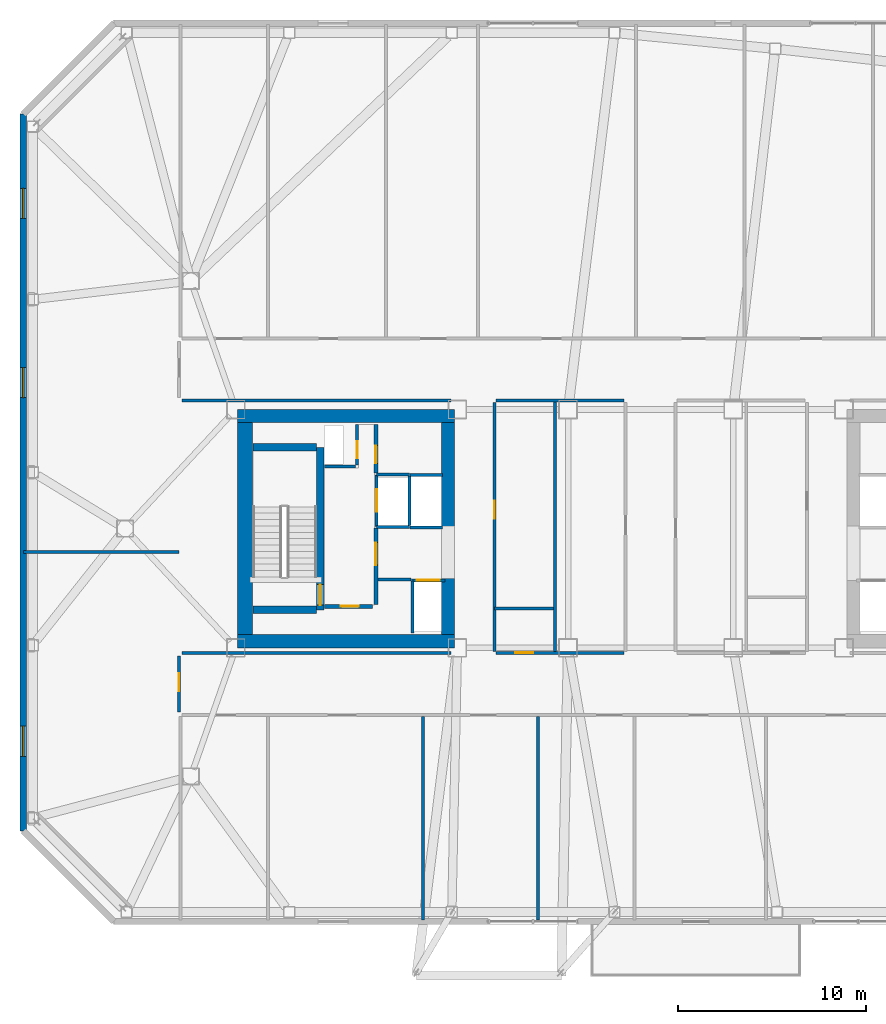
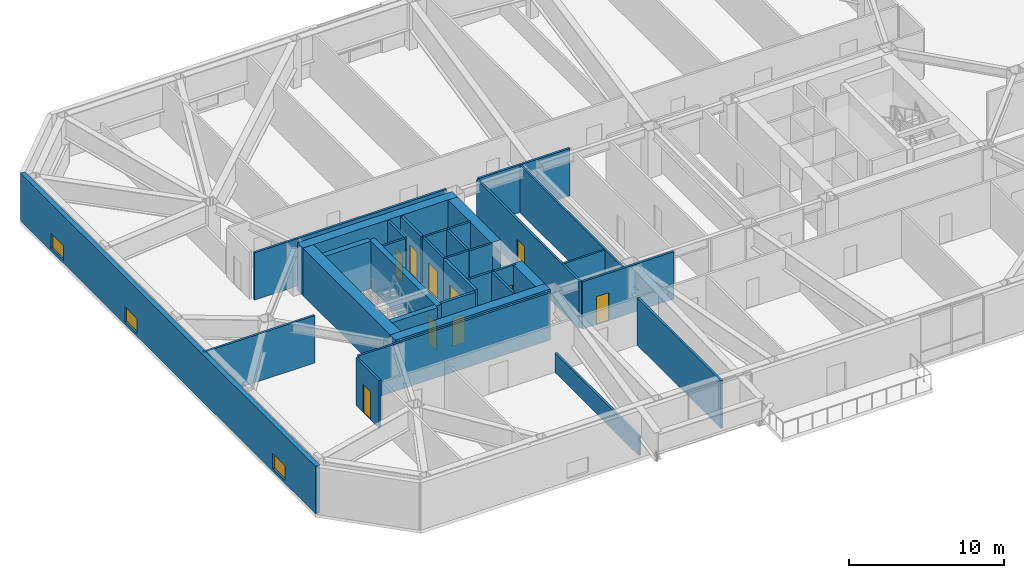
# One storey, part 10 of 18: 34 walls, 10 doors, 3 windows, 13 openings.
"""IFC4 building model written with IfcOpenShell, lengths in metres."""

from ifc_helpers import new_model, si_unit, direction, frame, frame_2d, origin, place, context, subcontext, project, spatial, rectangle, extrude, material, layer, layer_set, type_object, element, fill, save


model = new_model("IFC4")

# Units and contexts
model_context = context("Model", 3, precision=1e-05, world=origin(), true_north=direction((0.0, 1.0)))
body_context = subcontext(model_context, "Body", "Model", "MODEL_VIEW")
ifc_project = project(units=[si_unit("LENGTHUNIT", "METRE"), si_unit("AREAUNIT", "SQUARE_METRE"), si_unit("VOLUMEUNIT", "CUBIC_METRE"), si_unit("PLANEANGLEUNIT", "RADIAN"), si_unit("MASSUNIT", "GRAM", prefix="KILO")], contexts=[model_context])

# Site, building, storey
site_placement = place(None, origin())
site = spatial("IfcSite", under=ifc_project, at=site_placement, CompositionType="ELEMENT")
building_placement = place(site_placement, origin())
building = spatial("IfcBuilding", under=site, at=building_placement, Name="Tavrogorsk Clinical Tower", CompositionType="ELEMENT")
storey_placement = place(building_placement, frame((0.0, 0.0, 152.199951171875)))
storey = spatial("IfcBuildingStorey", under=building, at=storey_placement, Name="L34", CompositionType="ELEMENT", Elevation=152.199951171875)

# Wall, opening, door
ifc_material_1 = material(Name="Concrete B60", Category="concrete")
ifc_layer_1 = layer(ifc_material_1, 0.199951171875)
ifc_layer_set_1 = layer_set([ifc_layer_1], Name="Concrete B60")
wall_type_1 = type_object("IfcWallType", Name="CoreFireWall_200", PredefinedType="SOLIDWALL", material=ifc_layer_set_1)
wall_1_placement = place(storey_placement, frame((-17.3798828125, -4.139892578125, 0.0), z_axis=(0.0, 0.0, 1.0), x_axis=(1.0, 0.0, 0.0)))
wall_1 = element("IfcWall", 1, at=wall_1_placement, inside=storey, type_object=wall_type_1, Name="L34 Core West South Core Room Fire Wall", PredefinedType="SOLIDWALL", context=body_context, shape_type="SweptSolid", body=[
    extrude(rectangle(XDim=2.554931640625, YDim=0.199951171875, at=frame_2d((1.27734375, 0.0))), origin(), (0.0, 0.0, 1.0), 3.739990234375),
])
opening_1_placement = place(wall_1_placement, frame((0.8798828125, 0.0, 0.0)))
opening_1 = element("IfcOpeningElement", 2, at=opening_1_placement, cuts=wall_1, Name="Opening ID-02", PredefinedType="OPENING", context=body_context, shape_type="SweptSolid", body=[
    extrude(rectangle(XDim=0.949951171875, YDim=2.199951171875, at=frame_2d((0.47509765625, 1.10009765625))), frame((0.0, 0.10986328125, 0.0), z_axis=(0.0, -1.0, 0.0), x_axis=(1.0, 0.0, 0.0)), (0.0, 0.0, 1.0), 0.219970703125),
])
ifc_material_2 = material(Name="Laminated timber leaf on aluminium frame", Category="wood")
door_type_1 = type_object("IfcDoorType", Name="InteriorDoor_ID02_950", OperationType="NOTDEFINED", PredefinedType="DOOR", material=ifc_material_2)
door_1_placement = place(opening_1_placement, origin())
door_1 = element("IfcDoor", 3, at=door_1_placement, inside=storey, type_object=door_type_1, Name="L34 Core West South Core Room Door", OperationType="SINGLE_SWING_RIGHT", OverallHeight=2.199951171875, OverallWidth=0.949951171875, PredefinedType="DOOR", context=body_context, shape_type="SweptSolid", body=[
    extrude(rectangle(XDim=0.949951171875, YDim=2.199951171875, at=frame_2d((0.47509765625, 1.10009765625))), frame((0.0, 0.02490234375, 0.0), z_axis=(0.0, -1.0, 0.0), x_axis=(1.0, 0.0, 0.0)), (0.0, 0.0, 1.0), 0.050048828125),
])
fill(opening_1, door_1)

wall_2_placement = place(storey_placement, frame((-14.639892578125, 2.9599609375, 0.0), z_axis=(0.0, 0.0, 1.0), x_axis=(0.0, 1.0, 0.0)))
wall_2 = element("IfcWall", 4, at=wall_2_placement, inside=storey, type_object=wall_type_1, Name="L34 Core West North Core Room East Wall", PredefinedType="SOLIDWALL", context=body_context, shape_type="SweptSolid", body=[
    extrude(rectangle(XDim=2.60009765625, YDim=0.199951171875, at=frame_2d((1.300048828125, 0.0))), origin(), (0.0, 0.0, 1.0), 3.739990234375),
])
opening_2_placement = place(wall_2_placement, frame((0.52001953125, 0.0, 0.0)))
opening_2 = element("IfcOpeningElement", 5, at=opening_2_placement, cuts=wall_2, Name="Opening ID-02", PredefinedType="OPENING", context=body_context, shape_type="SweptSolid", body=[
    extrude(rectangle(XDim=0.949951171875, YDim=2.199951171875, at=frame_2d((0.47509765625, 1.10009765625))), frame((0.0, 0.10986328125, 0.0), z_axis=(0.0, -1.0, 0.0), x_axis=(1.0, 0.0, 0.0)), (0.0, 0.0, 1.0), 0.219970703125),
])
door_2_placement = place(opening_2_placement, origin())
door_2 = element("IfcDoor", 6, at=door_2_placement, inside=storey, type_object=door_type_1, Name="L34 Core West Core Telemetry Room Door", OperationType="SINGLE_SWING_LEFT", OverallHeight=2.199951171875, OverallWidth=0.949951171875, PredefinedType="DOOR", context=body_context, shape_type="SweptSolid", body=[
    extrude(rectangle(XDim=0.949951171875, YDim=2.199951171875, at=frame_2d((0.47509765625, 1.10009765625))), frame((0.0, 0.02490234375, 0.0), z_axis=(0.0, -1.0, 0.0), x_axis=(1.0, 0.0, 0.0)), (0.0, 0.0, 1.0), 0.050048828125),
])
fill(opening_2, door_2)

wall_3_placement = place(storey_placement, frame((-14.639892578125, -4.034912109375, 0.0), z_axis=(0.0, 0.0, 1.0), x_axis=(0.0, 1.0, 0.0)))
wall_3 = element("IfcWall", 7, at=wall_3_placement, inside=storey, type_object=wall_type_1, Name="L34 Core West Firefighting Lobby Fire Wall", PredefinedType="SOLIDWALL", context=body_context, shape_type="SweptSolid", body=[
    extrude(rectangle(XDim=4.074951171875, YDim=0.199951171875, at=frame_2d((2.03759765625, 0.0))), origin(), (0.0, 0.0, 1.0), 3.739990234375),
])
opening_3_placement = place(wall_3_placement, frame((2.090087890625, 0.0, 0.0)))
opening_3 = element("IfcOpeningElement", 8, at=opening_3_placement, cuts=wall_3, Name="Opening FD-01", PredefinedType="OPENING", context=body_context, shape_type="SweptSolid", body=[
    extrude(rectangle(XDim=1.199951171875, YDim=2.199951171875, at=frame_2d((0.60009765625, 1.10009765625))), frame((0.0, 0.10986328125, 0.0), z_axis=(0.0, -1.0, 0.0), x_axis=(1.0, 0.0, 0.0)), (0.0, 0.0, 1.0), 0.219970703125),
])
ifc_material_3 = material(Name="Galvanised steel fire-rated door assembly", Category="steel")
door_type_2 = type_object("IfcDoorType", Name="FireDoor_FD01_1200", OperationType="NOTDEFINED", PredefinedType="DOOR", material=ifc_material_3)
door_3_placement = place(opening_3_placement, origin())
door_3 = element("IfcDoor", 9, at=door_3_placement, inside=storey, type_object=door_type_2, Name="L34 Core West Firefighting Lobby Entry Door", OperationType="SINGLE_SWING_RIGHT", OverallHeight=2.199951171875, OverallWidth=1.199951171875, PredefinedType="DOOR", context=body_context, shape_type="SweptSolid", body=[
    extrude(rectangle(XDim=1.199951171875, YDim=2.199951171875, at=frame_2d((0.60009765625, 1.10009765625))), frame((0.0, 0.02490234375, 0.0), z_axis=(0.0, -1.0, 0.0), x_axis=(1.0, 0.0, 0.0)), (0.0, 0.0, 1.0), 0.050048828125),
])
fill(opening_3, door_3)

# Walls
ifc_material_4 = material(Name="Lightweight concrete blockwork B15", Category="masonry")
ifc_layer_2 = layer(ifc_material_4, 0.139892578125)
ifc_layer_set_2 = layer_set([ifc_layer_2], Name="Lightweight concrete blockwork B15")
wall_type_2 = type_object("IfcWallType", Name="PartitionWall_140", PredefinedType="PARTITIONING", material=ifc_layer_set_2)
wall_4_placement = place(storey_placement, frame((-5.10009765625, -6.614990234375, 0.0), z_axis=(0.0, 0.0, 1.0), x_axis=(0.0, 1.0, 0.0)))
element("IfcWall", 10, at=wall_4_placement, inside=storey, type_object=wall_type_2, Name="L34 Central Spine Partition 1", PredefinedType="PARTITIONING", context=body_context, shape_type="SweptSolid", body=[
    extrude(rectangle(XDim=13.429931640625, YDim=0.139892578125, at=frame_2d((6.71484375, 0.0))), origin(), (0.0, 0.0, 1.0), 3.739990234375),
])
wall_5_placement = place(storey_placement, frame((-8.31494140625, -4.25, 0.0), z_axis=(0.0, 0.0, 1.0), x_axis=(1.0, 0.0, 0.0)))
element("IfcWall", 11, at=wall_5_placement, inside=storey, type_object=wall_type_2, Name="L34 Central Spine Partition 3", PredefinedType="PARTITIONING", context=body_context, shape_type="SweptSolid", body=[
    extrude(rectangle(XDim=3.139892578125, YDim=0.139892578125, at=frame_2d((1.56982421875, 0.0))), origin(), (0.0, 0.0, 1.0), 3.739990234375),
])
ifc_material_5 = material(Name="Lightweight concrete blockwork B15", Category="masonry")
ifc_layer_3 = layer(ifc_material_5, 0.159912109375)
ifc_layer_set_3 = layer_set([ifc_layer_3], Name="Lightweight concrete blockwork B15")
wall_type_3 = type_object("IfcWallType", Name="PartitionWall_160", PredefinedType="PARTITIONING", material=ifc_layer_set_3)
wall_6_placement = place(storey_placement, frame((-14.534912109375, -2.699951171875, 0.0), z_axis=(0.0, 0.0, 1.0), x_axis=(1.0, 0.0, 0.0)))
element("IfcWall", 12, at=wall_6_placement, inside=storey, type_object=wall_type_3, Name="L34 Core West Freed Low-Bank North Partition", PredefinedType="PARTITIONING", context=body_context, shape_type="SweptSolid", body=[
    extrude(rectangle(XDim=1.760009765625, YDim=0.159912109375, at=frame_2d((0.8798828125, 0.0))), origin(), (0.0, 0.0, 1.0), 3.739990234375),
])

# Wall, opening, door
wall_7_placement = place(storey_placement, frame((-25.1298828125, -9.764892578125, 0.0), z_axis=(0.0, 0.0, 1.0), x_axis=(0.0, 1.0, 0.0)))
wall_7 = element("IfcWall", 13, at=wall_7_placement, inside=storey, type_object=wall_type_3, Name="L34 Corridor Partition 01", PredefinedType="PARTITIONING", context=body_context, shape_type="SweptSolid", body=[
    extrude(rectangle(XDim=2.97998046875, YDim=0.159912109375, at=frame_2d((1.489990234375, 0.0))), origin(), (0.0, 0.0, 1.0), 3.739990234375),
])
opening_4_placement = place(wall_7_placement, frame((1.10009765625, 0.0, 0.0)))
opening_4 = element("IfcOpeningElement", 14, at=opening_4_placement, cuts=wall_7, Name="Opening ID-02", PredefinedType="OPENING", context=body_context, shape_type="SweptSolid", body=[
    extrude(rectangle(XDim=0.949951171875, YDim=2.199951171875, at=frame_2d((0.47509765625, 1.10009765625))), frame((0.0, 0.08984375, 0.0), z_axis=(0.0, -1.0, 0.0), x_axis=(1.0, 0.0, 0.0)), (0.0, 0.0, 1.0), 0.179931640625),
])
door_4_placement = place(opening_4_placement, origin())
door_4 = element("IfcDoor", 15, at=door_4_placement, inside=storey, type_object=door_type_1, Name="L34 W Solarium Day Room & Lounge 1 Door", OperationType="SINGLE_SWING_LEFT", OverallHeight=2.199951171875, OverallWidth=0.949951171875, PredefinedType="DOOR", context=body_context, shape_type="SweptSolid", body=[
    extrude(rectangle(XDim=0.949951171875, YDim=2.199951171875, at=frame_2d((0.47509765625, 1.10009765625))), frame((0.0, 0.02490234375, 0.0), z_axis=(0.0, -1.0, 0.0), x_axis=(1.0, 0.0, 0.0)), (0.0, 0.0, 1.0), 0.050048828125),
])
fill(opening_4, door_4)

# Walls
for number, where, z_axis, x_axis, name in (
    (16, (-24.965087890625, -6.6201171875, 0.0), (0.0, 0.0, 1.0), (1.0, 0.0, 0.0), "L34 Corridor Partition 02"),
    (17, (-10.6298828125, 6.820068359375, 0.0), (0.0, 0.0, 1.0), (-1.0, 0.0, 0.0), "L34 Corridor Partition 03"),
):
    element("IfcWall", number, at=place(storey_placement, frame(where, z_axis=z_axis, x_axis=x_axis)), inside=storey, type_object=wall_type_3, Name=name, PredefinedType="PARTITIONING", context=body_context, shape_type="SweptSolid", body=[
        extrude(rectangle(XDim=14.335205078125, YDim=0.159912109375, at=frame_2d((7.16748046875, 0.0))), origin(), (0.0, 0.0, 1.0), 3.739990234375),
    ])
wall_8_placement = place(storey_placement, frame((-1.4150390625, 6.820068359375, 0.0), z_axis=(0.0, 0.0, 1.0), x_axis=(-1.0, 0.0, 0.0)))
element("IfcWall", 18, at=wall_8_placement, inside=storey, type_object=wall_type_3, Name="L34 Corridor Partition 16", PredefinedType="PARTITIONING", context=body_context, shape_type="SweptSolid", body=[
    extrude(rectangle(XDim=6.820068359375, YDim=0.159912109375, at=frame_2d((3.41015625, 0.0))), origin(), (0.0, 0.0, 1.0), 3.739990234375),
])

# Wall, opening, door
wall_9_placement = place(storey_placement, frame((-8.320068359375, 6.735107421875, 0.0), z_axis=(0.0, 0.0, 1.0), x_axis=(0.0, -1.0, 0.0)))
wall_9 = element("IfcWall", 19, at=wall_9_placement, inside=storey, type_object=wall_type_3, Name="L34 Corridor Partition 17", PredefinedType="PARTITIONING", context=body_context, shape_type="SweptSolid", body=[
    extrude(rectangle(XDim=13.27001953125, YDim=0.159912109375, at=frame_2d((6.635009765625, 0.0))), origin(), (0.0, 0.0, 1.0), 3.739990234375),
])
opening_5_placement = place(wall_9_placement, frame((5.254150390625, 0.0, 0.0)))
opening_5 = element("IfcOpeningElement", 20, at=opening_5_placement, cuts=wall_9, Name="Opening ID-02", PredefinedType="OPENING", context=body_context, shape_type="SweptSolid", body=[
    extrude(rectangle(XDim=0.949951171875, YDim=2.199951171875, at=frame_2d((0.47509765625, 1.10009765625))), frame((0.0, 0.08984375, 0.0), z_axis=(0.0, -1.0, 0.0), x_axis=(1.0, 0.0, 0.0)), (0.0, 0.0, 1.0), 0.179931640625),
])
door_5_placement = place(opening_5_placement, origin())
door_5 = element("IfcDoor", 21, at=door_5_placement, inside=storey, type_object=door_type_1, Name="L34 Ward Nourishment Pantry Door", OperationType="SINGLE_SWING_RIGHT", OverallHeight=2.199951171875, OverallWidth=0.949951171875, PredefinedType="DOOR", context=body_context, shape_type="SweptSolid", body=[
    extrude(rectangle(XDim=0.949951171875, YDim=2.199951171875, at=frame_2d((0.47509765625, 1.10009765625))), frame((0.0, 0.02490234375, 0.0), z_axis=(0.0, -1.0, 0.0), x_axis=(1.0, 0.0, 0.0)), (0.0, 0.0, 1.0), 0.050048828125),
])
fill(opening_5, door_5)

wall_10_placement = place(storey_placement, frame((-8.235107421875, -6.6201171875, 0.0), z_axis=(0.0, 0.0, 1.0), x_axis=(1.0, 0.0, 0.0)))
wall_10 = element("IfcWall", 22, at=wall_10_placement, inside=storey, type_object=wall_type_3, Name="L34 Corridor Partition 18", PredefinedType="PARTITIONING", context=body_context, shape_type="SweptSolid", body=[
    extrude(rectangle(XDim=6.820068359375, YDim=0.159912109375, at=frame_2d((3.41015625, 0.0))), origin(), (0.0, 0.0, 1.0), 3.739990234375),
])
opening_6_placement = place(wall_10_placement, frame((1.029052734375, 0.0, 0.0)))
opening_6 = element("IfcOpeningElement", 23, at=opening_6_placement, cuts=wall_10, Name="Opening ID-02", PredefinedType="OPENING", context=body_context, shape_type="SweptSolid", body=[
    extrude(rectangle(XDim=0.949951171875, YDim=2.199951171875, at=frame_2d((0.47509765625, 1.10009765625))), frame((0.0, 0.08984375, 0.0), z_axis=(0.0, -1.0, 0.0), x_axis=(1.0, 0.0, 0.0)), (0.0, 0.0, 1.0), 0.179931640625),
])
door_6_placement = place(opening_6_placement, origin())
door_6 = element("IfcDoor", 24, at=door_6_placement, inside=storey, type_object=door_type_1, Name="L34 Accessible Patient Lavatory Door", OperationType="SINGLE_SWING_LEFT", OverallHeight=2.199951171875, OverallWidth=0.949951171875, PredefinedType="DOOR", context=body_context, shape_type="SweptSolid", body=[
    extrude(rectangle(XDim=0.949951171875, YDim=2.199951171875, at=frame_2d((0.47509765625, 1.10009765625))), frame((0.0, 0.02490234375, 0.0), z_axis=(0.0, -1.0, 0.0), x_axis=(1.0, 0.0, 0.0)), (0.0, 0.0, 1.0), 0.050048828125),
])
fill(opening_6, door_6)

# Walls
wall_11_placement = place(storey_placement, frame((-6.0, -20.860107421875, 0.0), z_axis=(0.0, 0.0, 1.0), x_axis=(0.0, 1.0, 0.0)))
element("IfcWall", 25, at=wall_11_placement, inside=storey, type_object=wall_type_3, Name="L34 South Room Partition 2", PredefinedType="PARTITIONING", context=body_context, shape_type="SweptSolid", body=[
    extrude(rectangle(XDim=10.84521484375, YDim=0.159912109375, at=frame_2d((5.422607421875, 0.0))), origin(), (0.0, 0.0, 1.0), 3.739990234375),
])
wall_12_placement = place(storey_placement, frame((-12.139892578125, -20.860107421875, 0.0), z_axis=(0.0, 0.0, 1.0), x_axis=(0.0, 1.0, 0.0)))
element("IfcWall", 26, at=wall_12_placement, inside=storey, type_object=wall_type_3, Name="L34 South Sub-Partition 2", PredefinedType="PARTITIONING", context=body_context, shape_type="SweptSolid", body=[
    extrude(rectangle(XDim=10.84521484375, YDim=0.159912109375, at=frame_2d((5.422607421875, 0.0))), origin(), (0.0, 0.0, 1.0), 1.53515625),
])
wall_13_placement = place(storey_placement, frame((-33.409912109375, -1.25, 0.0), z_axis=(0.0, 0.0, 1.0), x_axis=(1.0, 0.0, 0.0)))
element("IfcWall", 27, at=wall_13_placement, inside=storey, type_object=wall_type_3, Name="L34 W Wing Divider 1", PredefinedType="PARTITIONING", context=body_context, shape_type="SweptSolid", body=[
    extrude(rectangle(XDim=8.280029296875, YDim=0.159912109375, at=frame_2d((4.14013671875, 0.0))), origin(), (0.0, 0.0, 1.0), 3.739990234375),
])

# Wall, openings, windows
ifc_material_6 = material(Name="Precast concrete B45 with limestone cladding", Category="masonry")
ifc_layer_4 = layer(ifc_material_6, 0.340087890625)
ifc_layer_set_4 = layer_set([ifc_layer_4], Name="Precast concrete B45 with limestone cladding")
wall_type_4 = type_object("IfcWallType", Name="PrecastLimestoneWall_340", PredefinedType="STANDARD", material=ifc_layer_set_4)
wall_14_placement = place(storey_placement, frame((-33.429931640625, 22.10009765625, 0.0), z_axis=(0.0, 0.0, 1.0), x_axis=(0.0, -1.0, 0.0)))
wall_14 = element("IfcWall", 28, at=wall_14_placement, inside=storey, type_object=wall_type_4, Name="L34 W Pleated Limestone Wing Wall", PredefinedType="STANDARD", context=body_context, shape_type="SweptSolid", body=[
    extrude(rectangle(XDim=38.2001953125, YDim=0.340087890625, at=frame_2d((19.10009765625, 0.0))), origin(), (0.0, 0.0, 1.0), 3.739990234375),
])
opening_7_placement = place(wall_14_placement, frame((3.97509765625, 0.0, 0.219970703125)))
opening_7 = element("IfcOpeningElement", 29, at=opening_7_placement, cuts=wall_14, Name="Opening WN-09", PredefinedType="OPENING", context=body_context, shape_type="SweptSolid", body=[
    extrude(rectangle(XDim=1.60009765625, YDim=1.199951171875, at=frame_2d((0.800048828125, 0.60009765625))), frame((0.0, 0.179931640625, 0.0), z_axis=(0.0, -1.0, 0.0), x_axis=(1.0, 0.0, 0.0)), (0.0, 0.0, 1.0), 0.360107421875),
])
opening_8_placement = place(wall_14_placement, frame((13.52490234375, 0.0, 0.219970703125)))
opening_8 = element("IfcOpeningElement", 30, at=opening_8_placement, cuts=wall_14, Name="Opening WN-09", PredefinedType="OPENING", context=body_context, shape_type="SweptSolid", body=[
    extrude(rectangle(XDim=1.60009765625, YDim=1.199951171875, at=frame_2d((0.800048828125, 0.60009765625))), frame((0.0, 0.179931640625, 0.0), z_axis=(0.0, -1.0, 0.0), x_axis=(1.0, 0.0, 0.0)), (0.0, 0.0, 1.0), 0.360107421875),
])
opening_9_placement = place(wall_14_placement, frame((32.625, 0.0, 0.219970703125)))
opening_9 = element("IfcOpeningElement", 31, at=opening_9_placement, cuts=wall_14, Name="Opening WN-09", PredefinedType="OPENING", context=body_context, shape_type="SweptSolid", body=[
    extrude(rectangle(XDim=1.60009765625, YDim=1.199951171875, at=frame_2d((0.800048828125, 0.60009765625))), frame((0.0, 0.179931640625, 0.0), z_axis=(0.0, -1.0, 0.0), x_axis=(1.0, 0.0, 0.0)), (0.0, 0.0, 1.0), 0.360107421875),
])
ifc_material_7 = material(Name="Thermally broken aluminium frame and triple IGU", Category="aluminium")
window_type = type_object("IfcWindowType", Name="LowHeadTransWin_1600x1200", PartitioningType="DOUBLE_PANEL_VERTICAL", PredefinedType="WINDOW", material=ifc_material_7)
window_1_placement = place(opening_7_placement, origin())
window_1 = element("IfcWindow", 32, at=window_1_placement, inside=storey, type_object=window_type, Name="L34 W Pleat Slot Window 1", OverallHeight=1.199951171875, OverallWidth=1.60009765625, PartitioningType="SINGLE_PANEL", PredefinedType="WINDOW", context=body_context, shape_type="SweptSolid", body=[
    extrude(rectangle(XDim=1.60009765625, YDim=1.199951171875, at=frame_2d((0.800048828125, 0.60009765625))), frame((0.0, 0.030029296875, 0.0), z_axis=(0.0, -1.0, 0.0), x_axis=(1.0, 0.0, 0.0)), (0.0, 0.0, 1.0), 0.06005859375),
])
fill(opening_7, window_1)
window_2_placement = place(opening_8_placement, origin())
window_2 = element("IfcWindow", 33, at=window_2_placement, inside=storey, type_object=window_type, Name="L34 W Pleat Slot Window 2", OverallHeight=1.199951171875, OverallWidth=1.60009765625, PartitioningType="SINGLE_PANEL", PredefinedType="WINDOW", context=body_context, shape_type="SweptSolid", body=[
    extrude(rectangle(XDim=1.60009765625, YDim=1.199951171875, at=frame_2d((0.800048828125, 0.60009765625))), frame((0.0, 0.030029296875, 0.0), z_axis=(0.0, -1.0, 0.0), x_axis=(1.0, 0.0, 0.0)), (0.0, 0.0, 1.0), 0.06005859375),
])
fill(opening_8, window_2)
window_3_placement = place(opening_9_placement, origin())
window_3 = element("IfcWindow", 34, at=window_3_placement, inside=storey, type_object=window_type, Name="L34 W Pleat Slot Window 4", OverallHeight=1.199951171875, OverallWidth=1.60009765625, PartitioningType="SINGLE_PANEL", PredefinedType="WINDOW", context=body_context, shape_type="SweptSolid", body=[
    extrude(rectangle(XDim=1.60009765625, YDim=1.199951171875, at=frame_2d((0.800048828125, 0.60009765625))), frame((0.0, 0.030029296875, 0.0), z_axis=(0.0, -1.0, 0.0), x_axis=(1.0, 0.0, 0.0)), (0.0, 0.0, 1.0), 0.06005859375),
])
fill(opening_9, window_3)

# Wall, opening, door
ifc_material_8 = material(Name="Lightweight concrete blockwork B25", Category="masonry")
ifc_layer_5 = layer(ifc_material_8, 0.159912109375)
ifc_layer_set_5 = layer_set([ifc_layer_5], Name="Lightweight concrete blockwork B25")
wall_type_5 = type_object("IfcWallType", Name="ShaftWall_160", PredefinedType="PARTITIONING", material=ifc_layer_set_5)
wall_15_placement = place(storey_placement, frame((-14.60009765625, 0.1201171875, 0.0), z_axis=(0.0, 0.0, 1.0), x_axis=(0.0, 1.0, 0.0)))
wall_15 = element("IfcWall", 35, at=wall_15_placement, inside=storey, type_object=wall_type_5, Name="L34 FFL-W Firefighting Lift Front Wall", PredefinedType="PARTITIONING", context=body_context, shape_type="SweptSolid", body=[
    extrude(rectangle(XDim=2.739990234375, YDim=0.159912109375, at=frame_2d((1.3701171875, 0.0))), origin(), (0.0, 0.0, 1.0), 3.739990234375),
])
opening_10_placement = place(wall_15_placement, frame((0.77001953125, 0.0, 0.0)))
opening_10 = element("IfcOpeningElement", 36, at=opening_10_placement, cuts=wall_15, Name="Opening LD", PredefinedType="OPENING", context=body_context, shape_type="SweptSolid", body=[
    extrude(rectangle(XDim=1.199951171875, YDim=2.199951171875, at=frame_2d((0.60009765625, 1.10009765625))), frame((0.0, 0.08984375, 0.0), z_axis=(0.0, -1.0, 0.0), x_axis=(1.0, 0.0, 0.0)), (0.0, 0.0, 1.0), 0.179931640625),
])
ifc_material_9 = material(Name="Brushed stainless steel AISI 304 sliding doors", Category="steel")
door_type_3 = type_object("IfcDoorType", Name="LiftLandingDoor_LD_1200", OperationType="SLIDING_TO_LEFT", PredefinedType="DOOR", material=ifc_material_9)
door_7_placement = place(opening_10_placement, origin())
door_7 = element("IfcDoor", 37, at=door_7_placement, inside=storey, type_object=door_type_3, Name="L34 FFL-W Sliding Lift Landing Door", OperationType="SLIDING_TO_LEFT", OverallHeight=2.199951171875, OverallWidth=1.199951171875, PredefinedType="DOOR", context=body_context, shape_type="SweptSolid", body=[
    extrude(rectangle(XDim=1.199951171875, YDim=2.199951171875, at=frame_2d((0.60009765625, 1.10009765625))), frame((0.0, 0.02490234375, 0.0), z_axis=(0.0, -1.0, 0.0), x_axis=(1.0, 0.0, 0.0)), (0.0, 0.0, 1.0), 0.050048828125),
])
fill(opening_10, door_7)

# Walls
for number, where, z_axis, x_axis, name in (
    (38, (-14.60009765625, 0.10009765625, 0.0), (0.0, 0.0, 1.0), (1.0, 0.0, 0.0), "L34 FFL-W Shaft South Wall"),
    (39, (-14.60009765625, 2.8798828125, 0.0), (0.0, 0.0, 1.0), (1.0, 0.0, 0.0), "L34 FFL-W Shaft North Wall"),
):
    element("IfcWall", number, at=place(storey_placement, frame(where, z_axis=z_axis, x_axis=x_axis)), inside=storey, type_object=wall_type_5, Name=name, PredefinedType="PARTITIONING", context=body_context, shape_type="SweptSolid", body=[
        extrude(rectangle(XDim=1.760009765625, YDim=0.159912109375, at=frame_2d((0.8798828125, 0.0))), origin(), (0.0, 0.0, 1.0), 3.739990234375),
    ])
wall_16_placement = place(storey_placement, frame((-12.840087890625, 0.179931640625, 0.0), z_axis=(0.0, 0.0, 1.0), x_axis=(0.0, 1.0, 0.0)))
element("IfcWall", 40, at=wall_16_placement, inside=storey, type_object=wall_type_5, Name="L34 FFL-W Shaft Back Wall", PredefinedType="PARTITIONING", context=body_context, shape_type="SweptSolid", body=[
    extrude(rectangle(XDim=2.6201171875, YDim=0.159912109375, at=frame_2d((1.31005859375, 0.0))), origin(), (0.0, 0.0, 1.0), 3.739990234375),
])

# Wall, opening, door
wall_17_placement = place(storey_placement, frame((-12.72998046875, -2.75, 0.0), z_axis=(0.0, 0.0, 1.0), x_axis=(1.0, 0.0, 0.0)))
wall_17 = element("IfcWall", 41, at=wall_17_placement, inside=storey, type_object=wall_type_5, Name="L34 LP-M1 Lift Shaft Portal Wall", PredefinedType="PARTITIONING", context=body_context, shape_type="SweptSolid", body=[
    extrude(rectangle(XDim=1.760009765625, YDim=0.159912109375, at=frame_2d((0.8798828125, 0.0))), origin(), (0.0, 0.0, 1.0), 3.739990234375),
])
opening_11_placement = place(wall_17_placement, frame((0.280029296875, 0.0, 0.0)))
opening_11 = element("IfcOpeningElement", 42, at=opening_11_placement, cuts=wall_17, Name="Opening LD", PredefinedType="OPENING", context=body_context, shape_type="SweptSolid", body=[
    extrude(rectangle(XDim=1.199951171875, YDim=2.199951171875, at=frame_2d((0.60009765625, 1.10009765625))), frame((0.0, 0.08984375, 0.0), z_axis=(0.0, -1.0, 0.0), x_axis=(1.0, 0.0, 0.0)), (0.0, 0.0, 1.0), 0.179931640625),
])
door_8_placement = place(opening_11_placement, origin())
door_8 = element("IfcDoor", 43, at=door_8_placement, inside=storey, type_object=door_type_3, Name="L34 LP-M1 Sliding Lift Landing Door", OperationType="SLIDING_TO_LEFT", OverallHeight=2.199951171875, OverallWidth=1.199951171875, PredefinedType="DOOR", context=body_context, shape_type="SweptSolid", body=[
    extrude(rectangle(XDim=1.199951171875, YDim=2.199951171875, at=frame_2d((0.60009765625, 1.10009765625))), frame((0.0, 0.02490234375, 0.0), z_axis=(0.0, -1.0, 0.0), x_axis=(1.0, 0.0, 0.0)), (0.0, 0.0, 1.0), 0.050048828125),
])
fill(opening_11, door_8)

# Walls
for number, where, z_axis, x_axis, name in (
    (44, (-12.820068359375, 0.06005859375, 0.0), (0.0, 0.0, 1.0), (1.0, 0.0, 0.0), "L34 LP-H1 High-Zone Lift Portal Wall"),
    (45, (-12.820068359375, 2.860107421875, 0.0), (0.0, 0.0, 1.0), (1.0, 0.0, 0.0), "L34 LP-H1 High-Zone Lift Rear Wall"),
):
    element("IfcWall", number, at=place(storey_placement, frame(where, z_axis=z_axis, x_axis=x_axis)), inside=storey, type_object=wall_type_5, Name=name, PredefinedType="PARTITIONING", context=body_context, shape_type="SweptSolid", body=[
        extrude(rectangle(XDim=1.719970703125, YDim=0.159912109375, at=frame_2d((0.85986328125, 0.0))), origin(), (0.0, 0.0, 1.0), 3.739990234375),
    ])

# Wall, opening, door
wall_18_placement = place(storey_placement, frame((-15.639892578125, 3.405029296875, 0.0), z_axis=(0.0, 0.0, 1.0), x_axis=(0.0, 1.0, 0.0)))
wall_18 = element("IfcWall", 46, at=wall_18_placement, inside=storey, type_object=wall_type_5, Name="L34 Core West Riser West Wall", PredefinedType="PARTITIONING", context=body_context, shape_type="SweptSolid", body=[
    extrude(rectangle(XDim=2.155029296875, YDim=0.159912109375, at=frame_2d((1.07763671875, 0.0))), origin(), (0.0, 0.0, 1.0), 3.739990234375),
])
opening_12_placement = place(wall_18_placement, frame((0.35009765625, 0.0, 0.0)))
opening_12 = element("IfcOpeningElement", 47, at=opening_12_placement, cuts=wall_18, Name="Opening FD-02", PredefinedType="OPENING", context=body_context, shape_type="SweptSolid", body=[
    extrude(rectangle(XDim=0.89990234375, YDim=2.199951171875, at=frame_2d((0.449951171875, 1.10009765625))), frame((0.0, 0.08984375, 0.0), z_axis=(0.0, -1.0, 0.0), x_axis=(1.0, 0.0, 0.0)), (0.0, 0.0, 1.0), 0.179931640625),
])
ifc_material_10 = material(Name="Galvanised steel fire-rated door assembly", Category="steel")
door_type_4 = type_object("IfcDoorType", Name="FireDoor_FD02_900", OperationType="NOTDEFINED", PredefinedType="DOOR", material=ifc_material_10)
door_9_placement = place(opening_12_placement, origin())
door_9 = element("IfcDoor", 48, at=door_9_placement, inside=storey, type_object=door_type_4, Name="L34 Core West Electrical Riser Access Door", OperationType="SINGLE_SWING_LEFT", OverallHeight=2.199951171875, OverallWidth=0.89990234375, PredefinedType="DOOR", context=body_context, shape_type="SweptSolid", body=[
    extrude(rectangle(XDim=0.89990234375, YDim=2.199951171875, at=frame_2d((0.449951171875, 1.10009765625))), frame((0.0, 0.02490234375, 0.0), z_axis=(0.0, -1.0, 0.0), x_axis=(1.0, 0.0, 0.0)), (0.0, 0.0, 1.0), 0.050048828125),
])
fill(opening_12, door_9)

# Walls
wall_19_placement = place(storey_placement, frame((-17.3798828125, 3.320068359375, 0.0), z_axis=(0.0, 0.0, 1.0), x_axis=(1.0, 0.0, 0.0)))
element("IfcWall", 49, at=wall_19_placement, inside=storey, type_object=wall_type_5, Name="L34 Core West Riser South Wall", PredefinedType="PARTITIONING", context=body_context, shape_type="SweptSolid", body=[
    extrude(rectangle(XDim=1.65478515625, YDim=0.159912109375, at=frame_2d((0.827392578125, 0.0))), origin(), (0.0, 0.0, 1.0), 3.739990234375),
])
wall_20_placement = place(storey_placement, frame((-12.68994140625, -5.56005859375, 0.0), z_axis=(0.0, 0.0, 1.0), x_axis=(0.0, 1.0, 0.0)))
element("IfcWall", 50, at=wall_20_placement, inside=storey, type_object=wall_type_5, Name="L34 Core West Freed Low-Bank Shaft Divider", PredefinedType="PARTITIONING", context=body_context, shape_type="SweptSolid", body=[
    extrude(rectangle(XDim=2.775146484375, YDim=0.159912109375, at=frame_2d((1.3876953125, 0.0))), origin(), (0.0, 0.0, 1.0), 3.739990234375),
])

# Wall, opening, door
ifc_material_11 = material(Name="Concrete B80", Category="concrete")
ifc_layer_6 = layer(ifc_material_11, 0.39990234375)
ifc_layer_set_6 = layer_set([ifc_layer_6], Name="Concrete B80")
wall_type_6 = type_object("IfcWallType", Name="ShearWall_400", PredefinedType="SHEAR", material=ifc_layer_set_6)
wall_21_placement = place(storey_placement, frame((-17.60009765625, -4.324951171875, 0.0), z_axis=(0.0, 0.0, 1.0), x_axis=(0.0, 1.0, 0.0)))
wall_21 = element("IfcWall", 51, at=wall_21_placement, inside=storey, type_object=wall_type_6, Name="L34 Core West Stair Shaft Inner Shear Wall", PredefinedType="SHEAR", context=body_context, shape_type="SweptSolid", body=[
    extrude(rectangle(XDim=8.64990234375, YDim=0.39990234375, at=frame_2d((4.324951171875, 0.0))), origin(), (0.0, 0.0, 1.0), 3.739990234375),
])
opening_13_placement = place(wall_21_placement, frame((0.25, 0.0, 0.0)))
opening_13 = element("IfcOpeningElement", 52, at=opening_13_placement, cuts=wall_21, Name="Opening SD-01", PredefinedType="OPENING", context=body_context, shape_type="SweptSolid", body=[
    extrude(rectangle(XDim=1.10009765625, YDim=2.199951171875, at=frame_2d((0.550048828125, 1.10009765625))), frame((0.0, 0.2099609375, 0.0), z_axis=(0.0, -1.0, 0.0), x_axis=(1.0, 0.0, 0.0)), (0.0, 0.0, 1.0), 0.419921875),
])
ifc_material_12 = material(Name="Galvanised steel smoke-tight fire door assembly", Category="steel")
door_type_5 = type_object("IfcDoorType", Name="StairFireDoor_SD01_1100", OperationType="NOTDEFINED", PredefinedType="DOOR", material=ifc_material_12)
door_10_placement = place(opening_13_placement, origin())
door_10 = element("IfcDoor", 53, at=door_10_placement, inside=storey, type_object=door_type_5, Name="L34 ST-W Exit Stair Door", OperationType="SINGLE_SWING_LEFT", OverallHeight=2.199951171875, OverallWidth=1.10009765625, PredefinedType="DOOR", context=body_context, shape_type="SweptSolid", body=[
    extrude(rectangle(XDim=1.10009765625, YDim=2.199951171875, at=frame_2d((0.550048828125, 1.10009765625))), frame((0.0, 0.02490234375, 0.0), z_axis=(0.0, -1.0, 0.0), x_axis=(1.0, 0.0, 0.0)), (0.0, 0.0, 1.0), 0.050048828125),
])
fill(opening_13, door_10)

# Walls
for number, where, z_axis, x_axis, name in (
    (54, (-21.199951171875, -4.324951171875, 0.0), (0.0, 0.0, 1.0), (1.0, 0.0, 0.0), "L34 Core West Stair Shaft South Shear Wall"),
    (55, (-21.199951171875, 4.324951171875, 0.0), (0.0, 0.0, 1.0), (1.0, 0.0, 0.0), "L34 Core West Stair Shaft North Shear Wall"),
):
    element("IfcWall", number, at=place(storey_placement, frame(where, z_axis=z_axis, x_axis=x_axis)), inside=storey, type_object=wall_type_6, Name=name, PredefinedType="SHEAR", context=body_context, shape_type="SweptSolid", body=[
        extrude(rectangle(XDim=3.39990234375, YDim=0.39990234375, at=frame_2d((1.699951171875, 0.0))), origin(), (0.0, 0.0, 1.0), 3.739990234375),
    ])
ifc_material_13 = material(Name="Concrete B80", Category="concrete")
ifc_layer_7 = layer(ifc_material_13, 0.699951171875)
ifc_layer_set_7 = layer_set([ifc_layer_7], Name="Concrete B80")
wall_type_7 = type_object("IfcWallType", Name="ShearWall_700", PredefinedType="SHEAR", material=ifc_layer_set_7)
for number, where, z_axis, x_axis, name in (
    (56, (-22.0, 6.0, 0.0), (0.0, 0.0, 1.0), (1.0, 0.0, 0.0), "L34 Core West North Shear Wall"),
    (57, (-22.0, -6.0, 0.0), (0.0, 0.0, 1.0), (1.0, 0.0, 0.0), "L34 Core West South Shear Wall"),
):
    element("IfcWall", number, at=place(storey_placement, frame(where, z_axis=z_axis, x_axis=x_axis)), inside=storey, type_object=wall_type_7, Name=name, PredefinedType="SHEAR", context=body_context, shape_type="SweptSolid", body=[
        extrude(rectangle(XDim=11.550048828125, YDim=0.699951171875, at=frame_2d((5.77490234375, 0.0))), origin(), (0.0, 0.0, 1.0), 3.739990234375),
    ])
wall_22_placement = place(storey_placement, frame((-10.800048828125, -5.64990234375, 0.0), z_axis=(0.0, 0.0, 1.0), x_axis=(0.0, 1.0, 0.0)))
element("IfcWall", 58, at=wall_22_placement, inside=storey, type_object=wall_type_7, Name="L34 Core West Inner South Pier", PredefinedType="SHEAR", context=body_context, shape_type="SweptSolid", body=[
    extrude(rectangle(XDim=3.0, YDim=0.699951171875, at=frame_2d((1.5, 0.0))), origin(), (0.0, 0.0, 1.0), 3.739990234375),
])
wall_23_placement = place(storey_placement, frame((-10.800048828125, 0.050048828125, 0.0), z_axis=(0.0, 0.0, 1.0), x_axis=(0.0, 1.0, 0.0)))
element("IfcWall", 59, at=wall_23_placement, inside=storey, type_object=wall_type_7, Name="L34 Core West Inner North Pier", PredefinedType="SHEAR", context=body_context, shape_type="SweptSolid", body=[
    extrude(rectangle(XDim=5.599853515625, YDim=0.699951171875, at=frame_2d((2.7998046875, 0.0))), origin(), (0.0, 0.0, 1.0), 3.739990234375),
])
ifc_material_14 = material(Name="Concrete B80", Category="concrete")
ifc_layer_8 = layer(ifc_material_14, 0.800048828125)
ifc_layer_set_8 = layer_set([ifc_layer_8], Name="Concrete B80")
wall_type_8 = type_object("IfcWallType", Name="ShearWall_800", PredefinedType="SHEAR", material=ifc_layer_set_8)
wall_24_placement = place(storey_placement, frame((-21.60009765625, -5.64990234375, 0.0), z_axis=(0.0, 0.0, 1.0), x_axis=(0.0, 1.0, 0.0)))
element("IfcWall", 60, at=wall_24_placement, inside=storey, type_object=wall_type_8, Name="L34 Core West End Shear Wall", PredefinedType="SHEAR", context=body_context, shape_type="SweptSolid", body=[
    extrude(rectangle(XDim=11.2998046875, YDim=0.800048828125, at=frame_2d((5.64990234375, 0.0))), origin(), (0.0, 0.0, 1.0), 3.739990234375),
])

save(model, "model.ifc")
